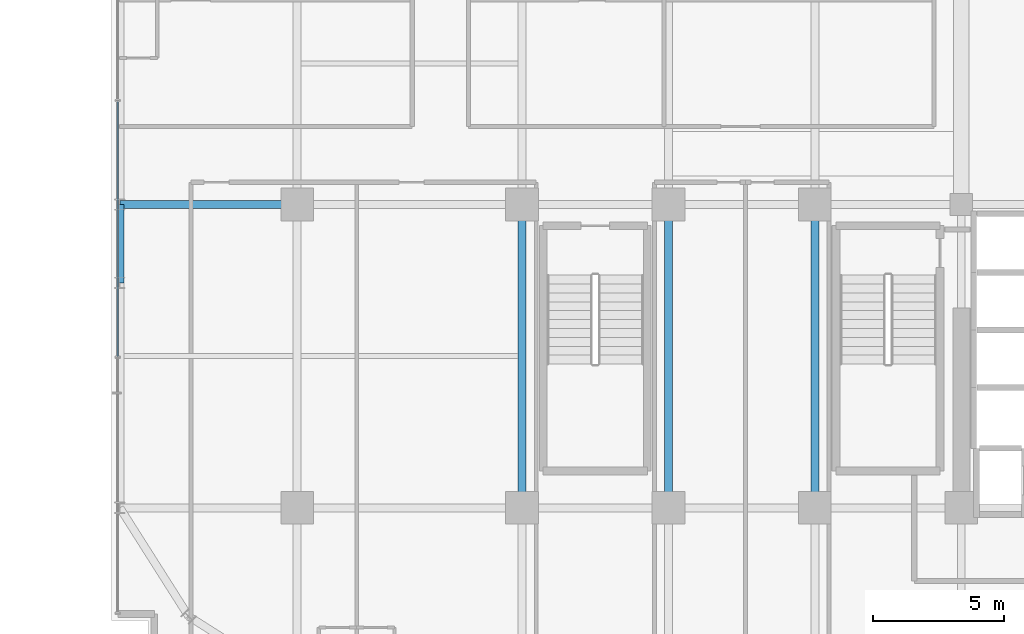
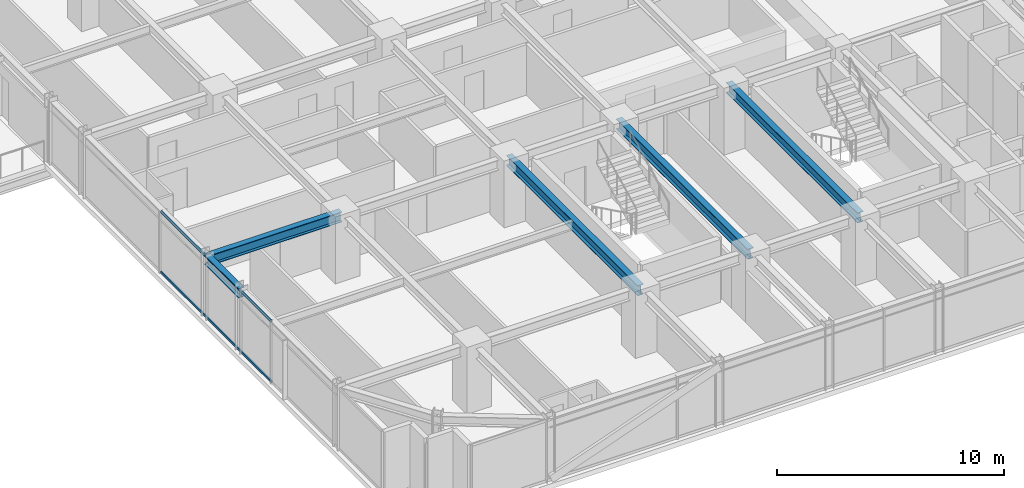
# One storey, part 7 of 40: 5 beams, 2 members, 1 element without a shape of its own.
"""IFC4 building model written with IfcOpenShell, lengths in metres."""

from ifc_helpers import new_model, si_unit, direction, frame, origin, origin_2d, place, context, subcontext, project, spatial, hollow_rectangle, i_section, extrude, source, transform, mapped, material, material_profile, profile_set, type_object, element, aggregate, save


model = new_model("IFC4")

# Units and contexts
model_context = context("Model", 3, precision=1e-05, world=origin(), true_north=direction((0.0, 1.0)))
body_context = subcontext(model_context, "Body", "Model", "MODEL_VIEW")
ifc_project = project(units=[si_unit("LENGTHUNIT", "METRE"), si_unit("AREAUNIT", "SQUARE_METRE"), si_unit("VOLUMEUNIT", "CUBIC_METRE"), si_unit("PLANEANGLEUNIT", "RADIAN"), si_unit("MASSUNIT", "GRAM", prefix="KILO")], contexts=[model_context])

# Site, building, storey
site_placement = place(None, origin())
site = spatial("IfcSite", under=ifc_project, at=site_placement, CompositionType="ELEMENT")
building_placement = place(site_placement, origin())
building = spatial("IfcBuilding", under=site, at=building_placement, Name="Nahalor Promenade Grand Hotel", CompositionType="ELEMENT")
storey_placement = place(building_placement, frame((0.0, 0.0, 91.949951171875)))
storey = spatial("IfcBuildingStorey", under=building, at=storey_placement, Name="L22", CompositionType="ELEMENT", Elevation=91.949951171875)

# Beams
ifc_material_1 = material(Name="Steel S355JR", Category="steel")
ifc_material_profile_1 = material_profile(ifc_material_1, i_section(OverallWidth=0.3, OverallDepth=0.5, WebThickness=0.0145, FlangeThickness=0.028, at=origin_2d()), Name="HEB 500")
ifc_profile_set_1 = profile_set([ifc_material_profile_1], Name="Steel S355JR")
beam_type_1 = type_object("IfcBeamType", Name="Beam-Spandrel-HEB500", PredefinedType="SPANDREL", material=ifc_profile_set_1)
shared_shape_1 = source(origin(), body_context, "Body", "SweptSolid", [
    extrude(i_section(OverallWidth=0.3, OverallDepth=0.5, WebThickness=0.0145, FlangeThickness=0.028, at=origin_2d()), origin(), (0.0, 0.0, 1.0), 3.0),
])
beam_1_placement = place(storey_placement, frame((-23.780029296875, -8.39990234375, 3.130126953125), z_axis=(0.0, 1.0, 0.0), x_axis=(-1.0, 0.0, 0.0)))
element("IfcBeam", 1, at=beam_1_placement, inside=storey, type_object=beam_type_1, Name="BM-L22-SP-W-1", PredefinedType="SPANDREL", context=body_context, shape_type="MappedRepresentation", body=[
    mapped(shared_shape_1, transform((0.0, 0.0, 0.0), scale=1.0)),
])
ifc_material_profile_2 = material_profile(ifc_material_1, i_section(OverallWidth=0.3, OverallDepth=0.55, WebThickness=0.015, FlangeThickness=0.029, at=origin_2d()), Name="HEB 550")
ifc_profile_set_2 = profile_set([ifc_material_profile_2], Name="Steel S355JR")
beam_type_2 = type_object("IfcBeamType", Name="Beam-Girder-HEB550", PredefinedType="BEAM", material=ifc_profile_set_2)
shared_shape_2 = source(origin(), body_context, "Body", "SweptSolid", [
    extrude(i_section(OverallWidth=0.3, OverallDepth=0.55, WebThickness=0.015, FlangeThickness=0.029, at=origin_2d()), origin(), (0.0, 0.0, 1.0), 6.780029296875),
])
beam_2_placement = place(storey_placement, frame((-23.780029296875, -5.39990234375, 3.10498046875), z_axis=(1.0, 0.0, 0.0), x_axis=(0.0, 1.0, 0.0)))
element("IfcBeam", 2, at=beam_2_placement, inside=storey, type_object=beam_type_2, Name="BM-L22-GX-1-0", PredefinedType="BEAM", context=body_context, shape_type="MappedRepresentation", body=[
    mapped(shared_shape_2, transform((0.0, 0.0, 0.0), scale=1.0)),
])
shared_shape_3 = source(origin(), body_context, "Body", "SweptSolid", [
    extrude(i_section(OverallWidth=0.3, OverallDepth=0.55, WebThickness=0.015, FlangeThickness=0.029, at=origin_2d()), origin(), (0.0, 0.0, 1.0), 11.60009765625),
])
for number, where, z_axis, x_axis, name in (
    (3, (-8.39990234375, -17.0, 3.10498046875), (0.0, 1.0, 0.0), (-1.0, 0.0, 0.0), "BM-L22-GY-1-1"),
    (4, (-2.800048828125, -17.0, 3.10498046875), (0.0, 1.0, 0.0), (-1.0, 0.0, 0.0), "BM-L22-GY-2-1"),
    (5, (2.800048828125, -17.0, 3.10498046875), (0.0, 1.0, 0.0), (-1.0, 0.0, 0.0), "BM-L22-GY-3-1"),
):
    element("IfcBeam", number, at=place(storey_placement, frame(where, z_axis=z_axis, x_axis=x_axis)), inside=storey, type_object=beam_type_2, Name=name, PredefinedType="BEAM", context=body_context, shape_type="MappedRepresentation", body=[
        mapped(shared_shape_3, transform((0.0, 0.0, 0.0), scale=1.0)),
    ])

# Curtain wall, members
ifc_material_2 = material(Name="Anodised Bronze Aluminium EN AW-6063 T6", Category="aluminium")
curtain_wall_type = type_object("IfcCurtainWallType", Name="CW2 Typical Hotel Flush Bronze Unitised Curtain Wall", PredefinedType="USERDEFINED", material=ifc_material_2)
curtain_wall_placement = place(storey_placement, origin())
curtain_wall = element("IfcCurtainWall", 6, at=curtain_wall_placement, inside=storey, type_object=curtain_wall_type, Name="L22 Curtain Wall CW-L22-W-1", ObjectType="UNITISED_CURTAIN_WALL", PredefinedType="USERDEFINED")
ifc_material_profile_3 = material_profile(ifc_material_2, hollow_rectangle(XDim=0.065, YDim=0.13, WallThickness=0.004, at=origin_2d()), Name="CWT 65x130x4")
ifc_profile_set_3 = profile_set([ifc_material_profile_3], Name="Anodised Bronze Aluminium EN AW-6063 T6")
member_type = type_object("IfcMemberType", Name="CWT2 Typical Bronze Transom 65x130", PredefinedType="USERDEFINED", material=ifc_profile_set_3)
shared_shape_4 = source(origin(), body_context, "Body", "SweptSolid", [
    extrude(hollow_rectangle(XDim=0.065, YDim=0.13, WallThickness=0.004, at=origin_2d()), origin(), (0.0, 0.0, 1.0), 9.755126953125),
])
member_1_placement = place(storey_placement, frame((-23.860107421875, -11.20751953125, 0.06494140625), z_axis=(0.0, 1.0, 0.0), x_axis=(-1.0, 0.0, 0.0)))
member_1 = element("IfcMember", 7, at=member_1_placement, type_object=member_type, Name="CW-L22-W-1 Transom 1-0", ObjectType="TRANSOM", PredefinedType="USERDEFINED", context=body_context, shape_type="MappedRepresentation", body=[
    mapped(shared_shape_4, transform((0.0, 0.0, 0.0), scale=1.0)),
])
member_2_placement = place(storey_placement, frame((-23.860107421875, -11.20751953125, 3.31494140625), z_axis=(0.0, 1.0, 0.0), x_axis=(-1.0, 0.0, 0.0)))
member_2 = element("IfcMember", 8, at=member_2_placement, type_object=member_type, Name="CW-L22-W-1 Transom 1-1", ObjectType="TRANSOM", PredefinedType="USERDEFINED", context=body_context, shape_type="MappedRepresentation", body=[
    mapped(shared_shape_4, transform((0.0, 0.0, 0.0), scale=1.0)),
])
aggregate(curtain_wall, [member_1, member_2])

save(model, "model.ifc")
